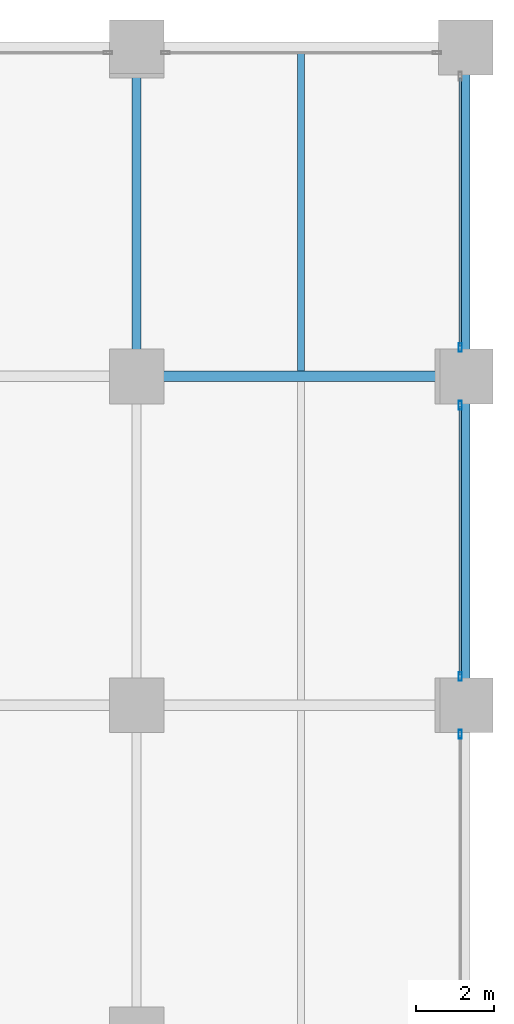
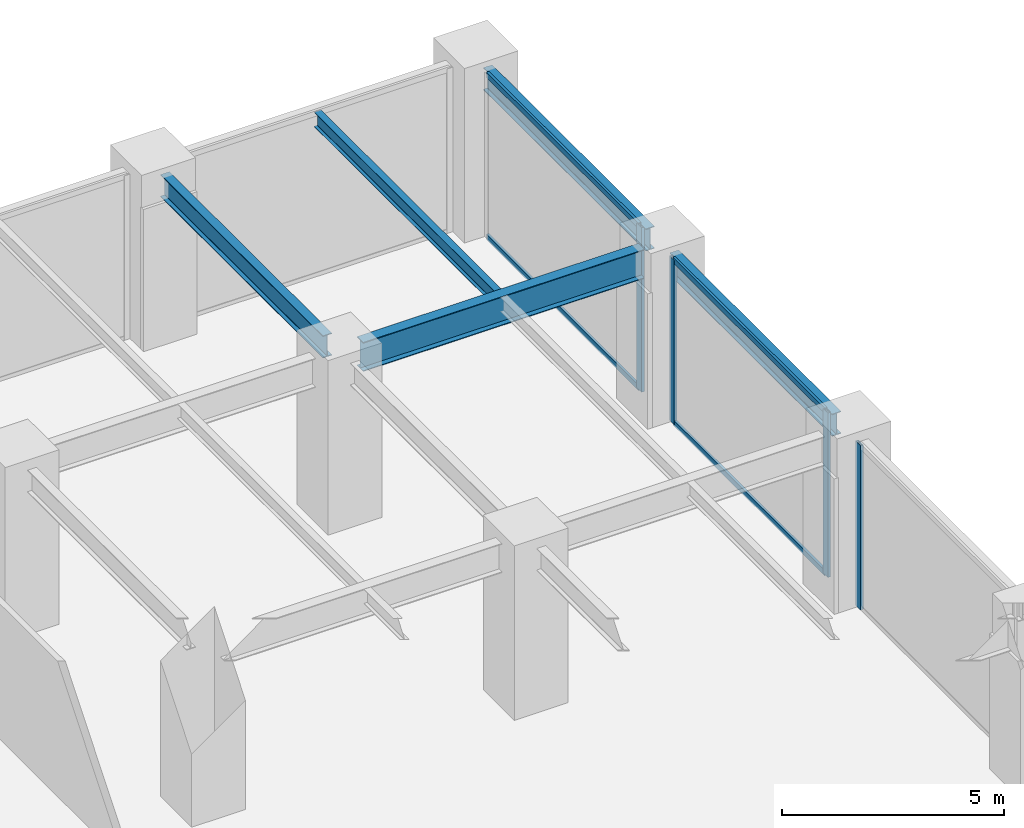
# One storey, part 15 of 23: 8 members, 5 beams, 3 elements without a shape of their own.
"""IFC4 building model written with IfcOpenShell, lengths in metres."""

from ifc_helpers import new_model, si_unit, direction, frame, origin, origin_2d, place, context, subcontext, project, spatial, hollow_rectangle, i_section, extrude, material, layer, layer_set, material_profile, profile_set, type_object, element, aggregate, save


model = new_model("IFC4")

# Units and contexts
model_context = context("Model", 3, precision=1e-05, world=origin(), true_north=direction((0.0, 1.0)))
body_context = subcontext(model_context, "Body", "Model", "MODEL_VIEW")
ifc_project = project(units=[si_unit("LENGTHUNIT", "METRE"), si_unit("AREAUNIT", "SQUARE_METRE"), si_unit("VOLUMEUNIT", "CUBIC_METRE"), si_unit("PLANEANGLEUNIT", "RADIAN"), si_unit("MASSUNIT", "GRAM", prefix="KILO")], contexts=[model_context])

# Site, building, storey
site_placement = place(None, origin())
site = spatial("IfcSite", under=ifc_project, at=site_placement, CompositionType="ELEMENT")
building_placement = place(site_placement, origin())
building = spatial("IfcBuilding", under=site, at=building_placement, Name="Nerrivon Quay Data Exchange", CompositionType="ELEMENT")
storey_placement = place(building_placement, frame((0.0, 0.0, 5.39990234375)))
storey = spatial("IfcBuildingStorey", under=building, at=storey_placement, Name="L01", CompositionType="ELEMENT", Elevation=5.39990234375)

# Beams
ifc_material_1 = material(Name="Steel Grade 350", Category="steel")
ifc_material_profile_1 = material_profile(ifc_material_1, i_section(OverallWidth=0.22900390625, OverallDepth=0.612060546875, WebThickness=0.011962890625, FlangeThickness=0.01953125, FilletRadius=0.013916015625, at=origin_2d()), Name="610UB125")
ifc_profile_set_1 = profile_set([ifc_material_profile_1], Name="Steel Grade 350")
beam_type_1 = type_object("IfcBeamType", Name="BM-G1-610UB125", PredefinedType="BEAM", material=ifc_profile_set_1)
for number, where, z_axis, x_axis, name in (
    (1, (50.39990234375, 42.5400390625, 4.218994140625), (0.0, 1.0, 0.0), (-1.0, 0.0, 0.0), "L01 NS Girder X=50.4 (42.0..50.4)"),
    (2, (58.800048828125, 34.139892578125, 4.218994140625), (0.0, 1.0, 0.0), (-1.0, 0.0, 0.0), "L01 NS Girder X=58.8 (33.6..42.0)"),
    (3, (58.800048828125, 42.5400390625, 4.218994140625), (0.0, 1.0, 0.0), (-1.0, 0.0, 0.0), "L01 NS Girder X=58.8 (42.0..50.4)"),
):
    element("IfcBeam", number, at=place(storey_placement, frame(where, z_axis=z_axis, x_axis=x_axis)), inside=storey, type_object=beam_type_1, Name=name, PredefinedType="BEAM", context=body_context, shape_type="SweptSolid", body=[
        extrude(i_section(OverallWidth=0.22900390625, OverallDepth=0.612060546875, WebThickness=0.011962890625, FlangeThickness=0.01953125, FilletRadius=0.013916015625, at=origin_2d()), origin(), (0.0, 0.0, 1.0), 7.320068359375),
    ])
ifc_material_profile_2 = material_profile(ifc_material_1, i_section(OverallWidth=0.27490234375, OverallDepth=0.800048828125, WebThickness=0.010009765625, FlangeThickness=0.02001953125, at=origin_2d()), Name="800WB146")
ifc_profile_set_2 = profile_set([ifc_material_profile_2], Name="Steel Grade 350")
beam_type_2 = type_object("IfcBeamType", Name="BM-G8-800WB146", PredefinedType="BEAM", material=ifc_profile_set_2)
beam_1_placement = place(storey_placement, frame((50.93994140625, 42.0, 4.125), z_axis=(1.0, 0.0, 0.0), x_axis=(0.0, 1.0, 0.0)))
element("IfcBeam", 4, at=beam_1_placement, inside=storey, type_object=beam_type_2, Name="L01 EW Girder Y=42.0 (50.4..58.8)", PredefinedType="BEAM", context=body_context, shape_type="SweptSolid", body=[
    extrude(i_section(OverallWidth=0.27490234375, OverallDepth=0.800048828125, WebThickness=0.010009765625, FlangeThickness=0.02001953125, at=origin_2d()), origin(), (0.0, 0.0, 1.0), 7.320068359375),
])
ifc_material_profile_3 = material_profile(ifc_material_1, i_section(OverallWidth=0.177978515625, OverallDepth=0.403076171875, WebThickness=0.007568359375, FlangeThickness=0.010986328125, FilletRadius=0.011474609375, at=origin_2d()), Name="410UB53.7")
ifc_profile_set_3 = profile_set([ifc_material_profile_3], Name="Steel Grade 350")
beam_type_3 = type_object("IfcBeamType", Name="BM-J2-410UB54", PredefinedType="JOIST", material=ifc_profile_set_3)
beam_2_placement = place(storey_placement, frame((54.60009765625, 42.137451171875, 4.323486328125), z_axis=(0.0, 1.0, 0.0), x_axis=(-1.0, 0.0, 0.0)))
element("IfcBeam", 5, at=beam_2_placement, inside=storey, type_object=beam_type_3, Name="L01 Secondary Joist X=54.6 (42.0..50.4)", PredefinedType="JOIST", context=body_context, shape_type="SweptSolid", body=[
    extrude(i_section(OverallWidth=0.177978515625, OverallDepth=0.403076171875, WebThickness=0.007568359375, FlangeThickness=0.010986328125, FilletRadius=0.011474609375, at=origin_2d()), origin(), (0.0, 0.0, 1.0), 8.125),
])

# Curtain wall, member
ifc_material_2 = material(Name="Anodised aluminium 6063-T6", Category="aluminium")
ifc_layer = layer(ifc_material_2, 0.239990234375)
ifc_layer_set = layer_set([ifc_layer], Name="Anodised aluminium 6063-T6")
curtain_wall_type = type_object("IfcCurtainWallType", Name="CW-SYS-03", PredefinedType="NOTDEFINED", material=ifc_layer_set)
curtain_wall_1_placement = place(storey_placement, origin())
curtain_wall_1 = element("IfcCurtainWall", 6, at=curtain_wall_1_placement, inside=storey, type_object=curtain_wall_type, Name="L01 Unitised Curtain Wall 14", PredefinedType="NOTDEFINED")
ifc_material_profile_4 = material_profile(ifc_material_2, hollow_rectangle(XDim=0.074951171875, YDim=0.219970703125, WallThickness=0.00390625, at=origin_2d()), Name="ALU-MULL-220x75")
ifc_profile_set_4 = profile_set([ifc_material_profile_4], Name="Anodised aluminium 6063-T6")
member_type_1 = type_object("IfcMemberType", Name="CWM-220x75", PredefinedType="MULLION", material=ifc_profile_set_4)
member_1_placement = place(storey_placement, frame((58.659912109375, 42.737548828125, 0.0), z_axis=(0.0, 0.0, 1.0), x_axis=(1.0, 0.0, 0.0)))
member_1 = element("IfcMember", 7, at=member_1_placement, type_object=member_type_1, Name="CW03 mullion 2", PredefinedType="MULLION", context=body_context, shape_type="SweptSolid", body=[
    extrude(hollow_rectangle(XDim=0.074951171875, YDim=0.219970703125, WallThickness=0.00390625, at=origin_2d()), origin(), (0.0, 0.0, 1.0), 4.525146484375),
])

# Curtain wall, members
curtain_wall_2_placement = place(storey_placement, origin())
curtain_wall_2 = element("IfcCurtainWall", 8, at=curtain_wall_2_placement, inside=storey, type_object=curtain_wall_type, Name="L01 Unitised Curtain Wall 15", PredefinedType="NOTDEFINED")
member_2_placement = place(storey_placement, frame((58.659912109375, 41.262451171875, 0.0), z_axis=(0.0, 0.0, 1.0), x_axis=(1.0, 0.0, 0.0)))
member_2 = element("IfcMember", 9, at=member_2_placement, type_object=member_type_1, Name="CW03 mullion 1", PredefinedType="MULLION", context=body_context, shape_type="SweptSolid", body=[
    extrude(hollow_rectangle(XDim=0.074951171875, YDim=0.219970703125, WallThickness=0.00390625, at=origin_2d()), origin(), (0.0, 0.0, 1.0), 4.525146484375),
])
member_3_placement = place(storey_placement, frame((58.659912109375, 34.33740234375, 0.0), z_axis=(0.0, 0.0, 1.0), x_axis=(1.0, 0.0, 0.0)))
member_3 = element("IfcMember", 10, at=member_3_placement, type_object=member_type_1, Name="CW03 mullion 2", PredefinedType="MULLION", context=body_context, shape_type="SweptSolid", body=[
    extrude(hollow_rectangle(XDim=0.074951171875, YDim=0.219970703125, WallThickness=0.00390625, at=origin_2d()), origin(), (0.0, 0.0, 1.0), 4.525146484375),
])

# Curtain wall, member
curtain_wall_3_placement = place(storey_placement, origin())
curtain_wall_3 = element("IfcCurtainWall", 11, at=curtain_wall_3_placement, inside=storey, type_object=curtain_wall_type, Name="L01 Unitised Curtain Wall 16", PredefinedType="NOTDEFINED")
member_4_placement = place(storey_placement, frame((58.659912109375, 32.862548828125, 0.0), z_axis=(0.0, 0.0, 1.0), x_axis=(1.0, 0.0, 0.0)))
member_4 = element("IfcMember", 12, at=member_4_placement, type_object=member_type_1, Name="CW03 mullion 1", PredefinedType="MULLION", context=body_context, shape_type="SweptSolid", body=[
    extrude(hollow_rectangle(XDim=0.074951171875, YDim=0.219970703125, WallThickness=0.00390625, at=origin_2d()), origin(), (0.0, 0.0, 1.0), 4.525146484375),
])
aggregate(curtain_wall_3, [member_4])

# Member
ifc_material_profile_5 = material_profile(ifc_material_2, hollow_rectangle(XDim=0.06494140625, YDim=0.14990234375, WallThickness=0.00341796875, at=origin_2d()), Name="ALU-TRAN-150x65")
ifc_profile_set_5 = profile_set([ifc_material_profile_5], Name="Anodised aluminium 6063-T6")
member_type_2 = type_object("IfcMemberType", Name="CWT-150x65", PredefinedType="USERDEFINED", material=ifc_profile_set_5)
member_5_placement = place(storey_placement, frame((58.659912109375, 49.625, 0.03271484375), z_axis=(0.0, -1.0, 0.0), x_axis=(1.0, 0.0, 0.0)))
member_5 = element("IfcMember", 13, at=member_5_placement, type_object=member_type_2, Name="CW03 transom 1.1", ObjectType="TRANSOM", PredefinedType="USERDEFINED", context=body_context, shape_type="SweptSolid", body=[
    extrude(hollow_rectangle(XDim=0.06494140625, YDim=0.14990234375, WallThickness=0.00341796875, at=origin_2d()), origin(), (0.0, 0.0, 1.0), 6.85009765625),
])

member_6_placement = place(storey_placement, frame((58.659912109375, 49.625, 4.49267578125), z_axis=(0.0, -1.0, 0.0), x_axis=(1.0, 0.0, 0.0)))
member_6 = element("IfcMember", 14, at=member_6_placement, type_object=member_type_2, Name="CW03 transom 1.2", ObjectType="TRANSOM", PredefinedType="USERDEFINED", context=body_context, shape_type="SweptSolid", body=[
    extrude(hollow_rectangle(XDim=0.06494140625, YDim=0.14990234375, WallThickness=0.00341796875, at=origin_2d()), origin(), (0.0, 0.0, 1.0), 6.85009765625),
])

aggregate(curtain_wall_1, [member_1, member_5, member_6])

member_7_placement = place(storey_placement, frame((58.659912109375, 41.22509765625, 0.03271484375), z_axis=(0.0, -1.0, 0.0), x_axis=(1.0, 0.0, 0.0)))
member_7 = element("IfcMember", 15, at=member_7_placement, type_object=member_type_2, Name="CW03 transom 1.1", ObjectType="TRANSOM", PredefinedType="USERDEFINED", context=body_context, shape_type="SweptSolid", body=[
    extrude(hollow_rectangle(XDim=0.06494140625, YDim=0.14990234375, WallThickness=0.00341796875, at=origin_2d()), origin(), (0.0, 0.0, 1.0), 6.85009765625),
])

member_8_placement = place(storey_placement, frame((58.659912109375, 41.22509765625, 4.49267578125), z_axis=(0.0, -1.0, 0.0), x_axis=(1.0, 0.0, 0.0)))
member_8 = element("IfcMember", 16, at=member_8_placement, type_object=member_type_2, Name="CW03 transom 1.2", ObjectType="TRANSOM", PredefinedType="USERDEFINED", context=body_context, shape_type="SweptSolid", body=[
    extrude(hollow_rectangle(XDim=0.06494140625, YDim=0.14990234375, WallThickness=0.00341796875, at=origin_2d()), origin(), (0.0, 0.0, 1.0), 6.85009765625),
])

aggregate(curtain_wall_2, [member_2, member_3, member_7, member_8])

save(model, "model.ifc")
